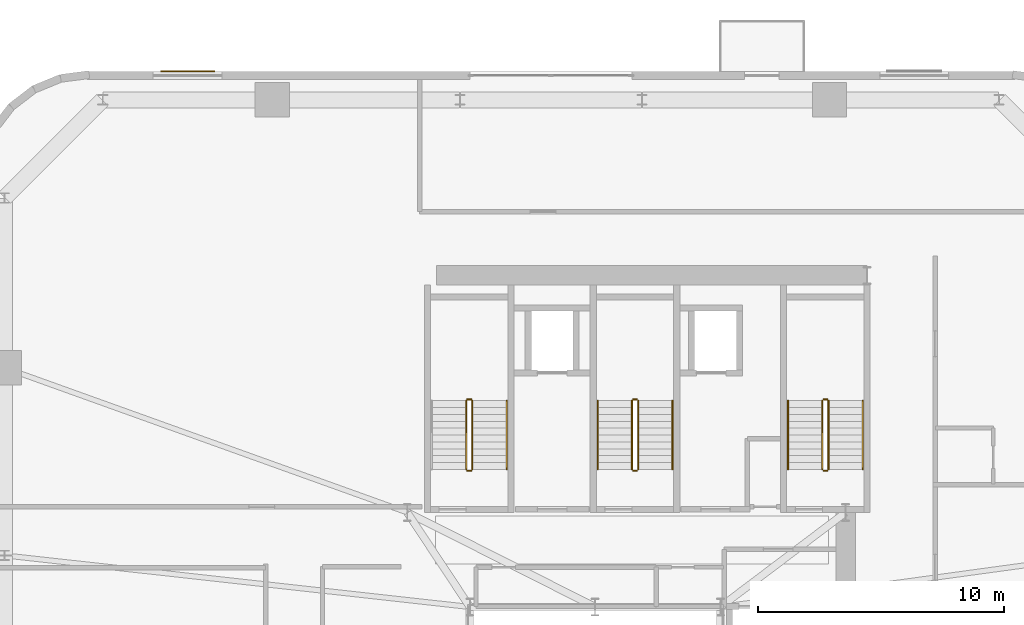
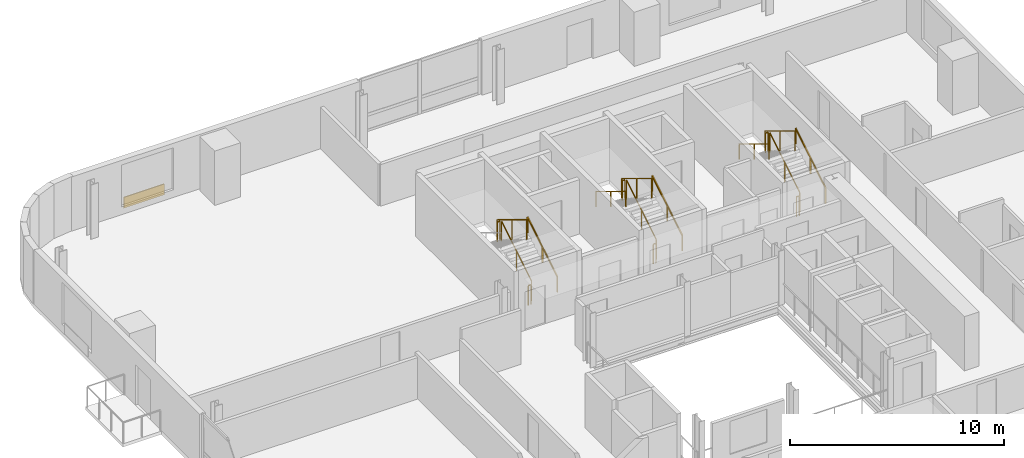
# One storey, part 12 of 13: 17 railings, 1 covering.
"""IFC4 building model written with IfcOpenShell, lengths in metres."""

from ifc_helpers import new_model, si_unit, direction, frame, origin, origin_2d, place, context, subcontext, project, spatial, rectangle, extrude, source, transform, mapped, material, layer, layer_set, type_object, element, save


model = new_model("IFC4")

# Units and contexts
model_context = context("Model", 3, precision=1e-05, world=origin(), true_north=direction((0.0, 1.0)))
body_context = subcontext(model_context, "Body", "Model", "MODEL_VIEW")
ifc_project = project(units=[si_unit("LENGTHUNIT", "METRE"), si_unit("AREAUNIT", "SQUARE_METRE"), si_unit("VOLUMEUNIT", "CUBIC_METRE"), si_unit("PLANEANGLEUNIT", "RADIAN"), si_unit("MASSUNIT", "GRAM", prefix="KILO")], contexts=[model_context])

# Site, building, storey
site_placement = place(None, origin())
site = spatial("IfcSite", under=ifc_project, at=site_placement, CompositionType="ELEMENT")
building_placement = place(site_placement, origin())
building = spatial("IfcBuilding", under=site, at=building_placement, Name="Vardaveli Station Tower", CompositionType="ELEMENT")
storey_placement = place(building_placement, frame((0.0, 0.0, 233.550048828125)))
storey = spatial("IfcBuildingStorey", under=building, at=storey_placement, Name="L60", CompositionType="ELEMENT", Elevation=233.550048828125)

# Covering
ifc_material_1 = material(Name="Ventilated honed travertine stone cladding", Category="masonry")
ifc_layer = layer(ifc_material_1, 0.044921875, Name="Ventilated honed travertine stone cladding")
ifc_layer_set = layer_set([ifc_layer], Name="Ventilated honed travertine stone cladding")
covering_type = type_object("IfcCoveringType", Name="COV-CLAD-TR45", PredefinedType="CLADDING", material=ifc_layer_set)
shared_shape_1 = source(origin(), body_context, "Body", "SweptSolid", [
    extrude(rectangle(XDim=2.199951171875, YDim=0.044921875, at=origin_2d()), origin(), (0.0, 0.0, 1.0), 0.6201171875),
])
covering_placement = place(storey_placement, frame((19.705078125, 48.614501953125, 0.06982421875), z_axis=(0.0, 0.0, 1.0), x_axis=(1.0, 0.0, 0.0)))
element("IfcCovering", 1, at=covering_placement, inside=storey, type_object=covering_type, Name="CLD-TR-L60-N", PredefinedType="CLADDING", context=body_context, shape_type="MappedRepresentation", body=[
    mapped(shared_shape_1, transform((0.0, 0.0, 0.0), scale=1.0)),
])

# Railings
ifc_material_2 = material(Name="Brushed AISI 316 stainless steel", Category="steel")
railing_type_1 = type_object("IfcRailingType", Name="RL-GUARD-1150", PredefinedType="GUARDRAIL", material=ifc_material_2)
shared_shape_2 = source(origin(), body_context, "Body", "SweptSolid", [
    extrude(rectangle(XDim=0.048095703125, YDim=0.048095703125, at=origin_2d()), frame((0.0, 0.0, 1.1259765625), z_axis=(-1.0, 0.0, 0.0), x_axis=(0.0, -1.0, 0.0)), (0.0, 0.0, 1.0), 0.14990234375),
    extrude(rectangle(XDim=0.0419921875, YDim=0.0419921875, at=origin_2d()), origin(), (0.0, 0.0, 1.0), 1.101806640625),
    extrude(rectangle(XDim=0.0419921875, YDim=0.0419921875, at=origin_2d()), frame((-0.14990234375, 0.0, 0.0)), (0.0, 0.0, 1.0), 1.101806640625),
])
for number, where, name in (
    (2, (31.25, 35.25, 1.875), "L60 ST-1 stair guard 2"),
    (3, (31.25, 32.35009765625, 0.0), "L60 ST-1 stair guard 4"),
    (4, (38.0, 35.25, 1.875), "L60 ST-2 stair guard 2"),
    (5, (38.0, 32.35009765625, 0.0), "L60 ST-2 stair guard 4"),
    (6, (45.75, 35.25, 1.875), "L60 ST-3 stair guard 2"),
    (7, (45.75, 32.35009765625, 0.0), "L60 ST-3 stair guard 4"),
):
    element("IfcRailing", number, at=place(storey_placement, frame(where)), inside=storey, type_object=railing_type_1, Name=name, PredefinedType="GUARDRAIL", context=body_context, shape_type="MappedRepresentation", body=[
        mapped(shared_shape_2, transform((0.0, 0.0, 0.0), scale=1.0)),
    ])
shared_shape_3 = source(origin(), body_context, "Body", "SweptSolid", [
    extrude(rectangle(XDim=0.048095703125, YDim=0.048095703125, at=origin_2d()), frame((0.0, 0.0, 1.1259765625), z_axis=(0.0, 0.854169791009, 0.51999420009), x_axis=(-1.0, 0.0, 0.0)), (0.0, 0.0, 1.0), 3.278076171875),
    extrude(rectangle(XDim=0.0419921875, YDim=0.0419921875, at=origin_2d()), origin(), (0.0, 0.0, 1.0), 1.101806640625),
    extrude(rectangle(XDim=0.0419921875, YDim=0.0419921875, at=origin_2d()), frame((0.0, 1.39990234375, 0.852294921875)), (0.0, 0.0, 1.0), 1.101806640625),
    extrude(rectangle(XDim=0.0419921875, YDim=0.0419921875, at=origin_2d()), frame((0.0, 2.800048828125, 1.70458984375)), (0.0, 0.0, 1.0), 1.101806640625),
])
for number, where, name in (
    (8, (31.300048828125, 32.39990234375, 0.17041015625), "L60 ST-1 stair guard 1"),
    (9, (38.050048828125, 32.39990234375, 0.17041015625), "L60 ST-2 stair guard 1"),
    (10, (45.800048828125, 32.39990234375, 0.17041015625), "L60 ST-3 stair guard 1"),
):
    element("IfcRailing", number, at=place(storey_placement, frame(where)), inside=storey, type_object=railing_type_1, Name=name, PredefinedType="GUARDRAIL", context=body_context, shape_type="MappedRepresentation", body=[
        mapped(shared_shape_3, transform((0.0, 0.0, 0.0), scale=1.0)),
    ])
shared_shape_4 = source(origin(), body_context, "Body", "SweptSolid", [
    extrude(rectangle(XDim=0.048095703125, YDim=0.048095703125, at=origin_2d()), frame((0.0, 0.0, 1.1259765625), z_axis=(0.0, -0.854169791009, 0.51999420009), x_axis=(1.0, 0.0, 0.0)), (0.0, 0.0, 1.0), 3.278076171875),
    extrude(rectangle(XDim=0.0419921875, YDim=0.0419921875, at=origin_2d()), origin(), (0.0, 0.0, 1.0), 1.101806640625),
    extrude(rectangle(XDim=0.0419921875, YDim=0.0419921875, at=origin_2d()), frame((0.0, -1.39990234375, 0.852294921875)), (0.0, 0.0, 1.0), 1.101806640625),
    extrude(rectangle(XDim=0.0419921875, YDim=0.0419921875, at=origin_2d()), frame((0.0, -2.800048828125, 1.70458984375)), (0.0, 0.0, 1.0), 1.101806640625),
])
for number, where, name in (
    (11, (31.050048828125, 35.199951171875, 2.04541015625), "L60 ST-1 stair guard 3"),
    (12, (37.800048828125, 35.199951171875, 2.04541015625), "L60 ST-2 stair guard 3"),
    (13, (45.550048828125, 35.199951171875, 2.04541015625), "L60 ST-3 stair guard 3"),
):
    element("IfcRailing", number, at=place(storey_placement, frame(where)), inside=storey, type_object=railing_type_1, Name=name, PredefinedType="GUARDRAIL", context=body_context, shape_type="MappedRepresentation", body=[
        mapped(shared_shape_4, transform((0.0, 0.0, 0.0), scale=1.0)),
    ])
railing_type_2 = type_object("IfcRailingType", Name="RL-HAND-900", PredefinedType="HANDRAIL", material=ifc_material_2)
shared_shape_5 = source(origin(), body_context, "Body", "SweptSolid", [
    extrude(rectangle(XDim=0.048095703125, YDim=0.048095703125, at=origin_2d()), frame((0.0, 0.0, 0.8759765625), z_axis=(0.0, 0.854169791009, 0.51999420009), x_axis=(-1.0, 0.0, 0.0)), (0.0, 0.0, 1.0), 3.278076171875),
    extrude(rectangle(XDim=0.0419921875, YDim=0.0419921875, at=origin_2d()), origin(), (0.0, 0.0, 1.0), 0.851806640625),
    extrude(rectangle(XDim=0.0419921875, YDim=0.0419921875, at=origin_2d()), frame((0.0, 1.39990234375, 0.852294921875)), (0.0, 0.0, 1.0), 0.851806640625),
    extrude(rectangle(XDim=0.0419921875, YDim=0.0419921875, at=origin_2d()), frame((0.0, 2.800048828125, 1.70458984375)), (0.0, 0.0, 1.0), 0.851806640625),
])
for number, where, name in (
    (14, (32.699951171875, 32.39990234375, 0.17041015625), "L60 ST-1 stair handrail 1"),
    (15, (39.449951171875, 32.39990234375, 0.17041015625), "L60 ST-2 stair handrail 1"),
    (16, (47.199951171875, 32.39990234375, 0.17041015625), "L60 ST-3 stair handrail 1"),
):
    element("IfcRailing", number, at=place(storey_placement, frame(where)), inside=storey, type_object=railing_type_2, Name=name, PredefinedType="HANDRAIL", context=body_context, shape_type="MappedRepresentation", body=[
        mapped(shared_shape_5, transform((0.0, 0.0, 0.0), scale=1.0)),
    ])
shared_shape_6 = source(origin(), body_context, "Body", "SweptSolid", [
    extrude(rectangle(XDim=0.048095703125, YDim=0.048095703125, at=origin_2d()), frame((0.0, 0.0, 0.8759765625), z_axis=(0.0, -0.854169791009, 0.51999420009), x_axis=(1.0, 0.0, 0.0)), (0.0, 0.0, 1.0), 3.278076171875),
    extrude(rectangle(XDim=0.0419921875, YDim=0.0419921875, at=origin_2d()), origin(), (0.0, 0.0, 1.0), 0.851806640625),
    extrude(rectangle(XDim=0.0419921875, YDim=0.0419921875, at=origin_2d()), frame((0.0, -1.39990234375, 0.852294921875)), (0.0, 0.0, 1.0), 0.851806640625),
    extrude(rectangle(XDim=0.0419921875, YDim=0.0419921875, at=origin_2d()), frame((0.0, -2.800048828125, 1.70458984375)), (0.0, 0.0, 1.0), 0.851806640625),
])
for number, where, name in (
    (17, (36.39990234375, 35.199951171875, 2.04541015625), "L60 ST-2 stair handrail 2"),
    (18, (44.14990234375, 35.199951171875, 2.04541015625), "L60 ST-3 stair handrail 2"),
):
    element("IfcRailing", number, at=place(storey_placement, frame(where)), inside=storey, type_object=railing_type_2, Name=name, PredefinedType="HANDRAIL", context=body_context, shape_type="MappedRepresentation", body=[
        mapped(shared_shape_6, transform((0.0, 0.0, 0.0), scale=1.0)),
    ])

save(model, "model.ifc")
